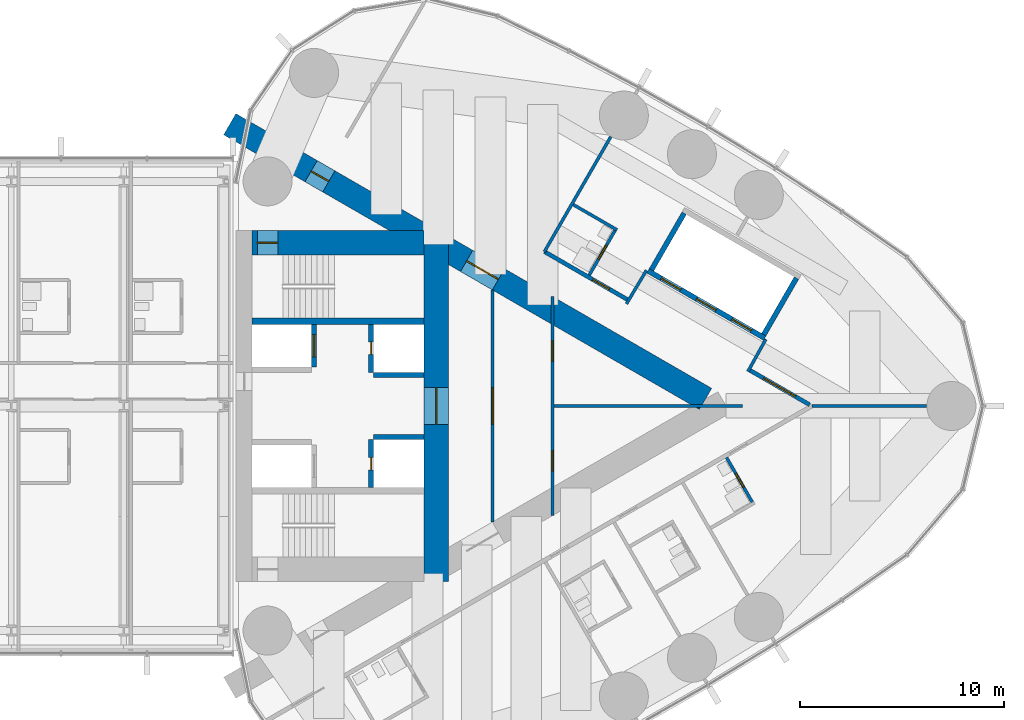
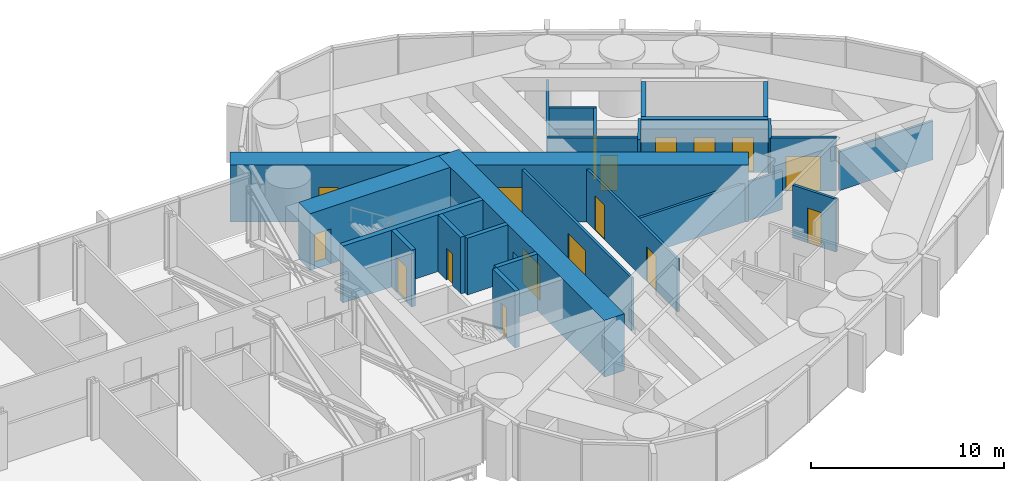
# One storey, part 20 of 24: 24 walls, 17 doors, 17 openings.
"""IFC4 building model written with IfcOpenShell, lengths in metres."""

from ifc_helpers import new_model, si_unit, direction, frame, frame_2d, origin, place, context, subcontext, project, spatial, rectangle, extrude, material, layer, layer_set, type_object, element, fill, save


model = new_model("IFC4")

# Units and contexts
model_context = context("Model", 3, precision=1e-05, world=origin(), true_north=direction((0.0, 1.0)))
body_context = subcontext(model_context, "Body", "Model", "MODEL_VIEW")
ifc_project = project(units=[si_unit("LENGTHUNIT", "METRE"), si_unit("AREAUNIT", "SQUARE_METRE"), si_unit("VOLUMEUNIT", "CUBIC_METRE"), si_unit("PLANEANGLEUNIT", "RADIAN"), si_unit("MASSUNIT", "GRAM", prefix="KILO")], contexts=[model_context])

# Site, building, storey
site_placement = place(None, origin())
site = spatial("IfcSite", under=ifc_project, at=site_placement, CompositionType="ELEMENT")
building_placement = place(site_placement, origin())
building = spatial("IfcBuilding", under=site, at=building_placement, Name="Lancet Gate Hotel", CompositionType="ELEMENT")
storey_placement = place(building_placement, frame((0.0, 0.0, 236.89990234375)))
storey = spatial("IfcBuildingStorey", under=building, at=storey_placement, Name="L63", CompositionType="ELEMENT", Elevation=236.89990234375)

# Wall, opening, door
ifc_material_1 = material(Name="Moisture resistant board partition")
ifc_layer_1 = layer(ifc_material_1, 0.14990234375)
ifc_layer_set_1 = layer_set([ifc_layer_1], Name="Bathroom wall 150")
wall_type_1 = type_object("IfcWallType", Name="Bathroom wall 150", PredefinedType="PARTITIONING", material=ifc_layer_set_1)
wall_1_placement = place(storey_placement, frame((51.528564453125, -2.525146484375, 0.0), z_axis=(0.0, 0.0, 1.0), x_axis=(0.500006934395, -0.866021400173, 0.0)))
wall_1 = element("IfcWall", 1, at=wall_1_placement, inside=storey, type_object=wall_type_1, Name="T2 bathroom wall 150 L63", PredefinedType="PARTITIONING", context=body_context, shape_type="SweptSolid", body=[
    extrude(rectangle(XDim=2.60009765625, YDim=0.14990234375, at=frame_2d((1.300048828125, 0.0))), origin(), (0.0, 0.0, 1.0), 3.35009765625),
])
opening_1_placement = place(wall_1_placement, frame((0.89990234375, 0.0, 0.0)))
opening_1 = element("IfcOpeningElement", 2, at=opening_1_placement, cuts=wall_1, Name="Opening 6355-B", PredefinedType="OPENING", context=body_context, shape_type="SweptSolid", body=[
    extrude(rectangle(XDim=0.800048828125, YDim=2.199951171875, at=frame_2d((0.39990234375, 1.10009765625))), frame((0.0, 0.0849609375, 0.0), z_axis=(0.0, -1.0, 0.0), x_axis=(1.0, 0.0, 0.0)), (0.0, 0.0, 1.0), 0.169921875),
])
ifc_material_2 = material(Name="Timber door set", Category="wood")
door_type_1 = type_object("IfcDoorType", Name="Bathroom door 800", OperationType="SINGLE_SWING_RIGHT", PredefinedType="DOOR", material=ifc_material_2)
door_1_placement = place(opening_1_placement, origin())
door_1 = element("IfcDoor", 3, at=door_1_placement, inside=storey, type_object=door_type_1, Name="6355-B", OperationType="SINGLE_SWING_RIGHT", OverallHeight=2.199951171875, OverallWidth=0.800048828125, PredefinedType="DOOR", context=body_context, shape_type="SweptSolid", body=[
    extrude(rectangle(XDim=0.800048828125, YDim=2.199951171875, at=frame_2d((0.39990234375, 1.10009765625))), frame((0.0, 0.02490234375, 0.0), z_axis=(0.0, -1.0, 0.0), x_axis=(1.0, 0.0, 0.0)), (0.0, 0.0, 1.0), 0.050048828125),
])
fill(opening_1, door_1)

# Wall
wall_2_placement = place(storey_placement, frame((44.024658203125, 9.85986328125, 0.0), z_axis=(0.0, 0.0, 1.0), x_axis=(0.866006523861, -0.500032699561, 0.0)))
element("IfcWall", 4, at=wall_2_placement, inside=storey, type_object=wall_type_1, Name="T2 bathroom wall 150 L63", PredefinedType="PARTITIONING", context=body_context, shape_type="SweptSolid", body=[
    extrude(rectangle(XDim=2.474853515625, YDim=0.14990234375, at=frame_2d((1.2373046875, 0.0))), origin(), (0.0, 0.0, 1.0), 3.35009765625),
])

# Wall, opening, door
wall_3_placement = place(storey_placement, frame((44.802978515625, 6.408203125, 0.0), z_axis=(0.0, 0.0, 1.0), x_axis=(0.500047596559, 0.865997922154, 0.0)))
wall_3 = element("IfcWall", 5, at=wall_3_placement, inside=storey, type_object=wall_type_1, Name="T2 bathroom wall 150 L63", PredefinedType="PARTITIONING", context=body_context, shape_type="SweptSolid", body=[
    extrude(rectangle(XDim=2.599853515625, YDim=0.14990234375, at=frame_2d((1.2998046875, 0.0))), origin(), (0.0, 0.0, 1.0), 3.35009765625),
])
opening_2_placement = place(wall_3_placement, frame((0.89990234375, 0.0, 0.0)))
opening_2 = element("IfcOpeningElement", 6, at=opening_2_placement, cuts=wall_3, Name="Opening 6358-B", PredefinedType="OPENING", context=body_context, shape_type="SweptSolid", body=[
    extrude(rectangle(XDim=0.800048828125, YDim=2.199951171875, at=frame_2d((0.39990234375, 1.10009765625))), frame((0.0, 0.0849609375, 0.0), z_axis=(0.0, -1.0, 0.0), x_axis=(1.0, 0.0, 0.0)), (0.0, 0.0, 1.0), 0.169921875),
])
door_2_placement = place(opening_2_placement, origin())
door_2 = element("IfcDoor", 7, at=door_2_placement, inside=storey, type_object=door_type_1, Name="6358-B", OperationType="SINGLE_SWING_RIGHT", OverallHeight=2.199951171875, OverallWidth=0.800048828125, PredefinedType="DOOR", context=body_context, shape_type="SweptSolid", body=[
    extrude(rectangle(XDim=0.800048828125, YDim=2.199951171875, at=frame_2d((0.39990234375, 1.10009765625))), frame((0.0, 0.02490234375, 0.0), z_axis=(0.0, -1.0, 0.0), x_axis=(1.0, 0.0, 0.0)), (0.0, 0.0, 1.0), 0.050048828125),
])
fill(opening_2, door_2)

# Wall, openings, doors
ifc_material_3 = material(Name="Concrete C70/85", Category="concrete")
ifc_layer_2 = layer(ifc_material_3, 1.199951171875)
ifc_layer_set_2 = layer_set([ifc_layer_2], Name="Buttress wall 1200")
wall_type_2 = type_object("IfcWallType", Name="Buttress wall 1200", PredefinedType="SHEAR", material=ifc_layer_set_2)
wall_4_placement = place(storey_placement, frame((27.199951171875, 13.800048828125, 0.0), z_axis=(0.0, 0.0, 1.0), x_axis=(0.866024515034, -0.500001539357, 0.0)))
wall_4 = element("IfcWall", 8, at=wall_4_placement, inside=storey, type_object=wall_type_2, Name="T2 buttress wall N L63", PredefinedType="SHEAR", context=body_context, shape_type="SweptSolid", body=[
    extrude(rectangle(XDim=26.9072265625, YDim=1.199951171875, at=frame_2d((13.45361328125, 0.0))), origin(), (0.0, 0.0, 1.0), 3.60009765625),
])
opening_3_placement = place(wall_4_placement, frame((4.60009765625, 0.0, 0.0)))
opening_3 = element("IfcOpeningElement", 9, at=opening_3_placement, cuts=wall_4, Name="Opening T2-L63-LN", PredefinedType="OPENING", context=body_context, shape_type="SweptSolid", body=[
    extrude(rectangle(XDim=1.0, YDim=2.199951171875, at=frame_2d((0.5, 1.10009765625))), frame((0.0, 0.60986328125, 0.0), z_axis=(0.0, -1.0, 0.0), x_axis=(1.0, 0.0, 0.0)), (0.0, 0.0, 1.0), 1.219970703125),
])
opening_4_placement = place(wall_4_placement, frame((13.39453125, 0.0, 0.0)))
opening_4 = element("IfcOpeningElement", 10, at=opening_4_placement, cuts=wall_4, Name="Opening T2-L63-LHN", PredefinedType="OPENING", context=body_context, shape_type="SweptSolid", body=[
    extrude(rectangle(XDim=1.800048828125, YDim=2.199951171875, at=frame_2d((0.89990234375, 1.10009765625))), frame((0.0, 0.60986328125, 0.0), z_axis=(0.0, -1.0, 0.0), x_axis=(1.0, 0.0, 0.0)), (0.0, 0.0, 1.0), 1.219970703125),
])
ifc_material_4 = material(Name="Timber door set", Category="wood")
door_type_2 = type_object("IfcDoorType", Name="Lobby double door 1800", OperationType="DOUBLE_DOOR_SINGLE_SWING", PredefinedType="DOOR", material=ifc_material_4)
door_3_placement = place(opening_4_placement, origin())
door_3 = element("IfcDoor", 11, at=door_3_placement, inside=storey, type_object=door_type_2, Name="T2-L63-LHN", OperationType="DOUBLE_DOOR_SINGLE_SWING", OverallHeight=2.199951171875, OverallWidth=1.800048828125, PredefinedType="DOOR", context=body_context, shape_type="SweptSolid", body=[
    extrude(rectangle(XDim=1.800048828125, YDim=2.199951171875, at=frame_2d((0.89990234375, 1.10009765625))), frame((0.0, 0.02490234375, 0.0), z_axis=(0.0, -1.0, 0.0), x_axis=(1.0, 0.0, 0.0)), (0.0, 0.0, 1.0), 0.050048828125),
])
fill(opening_4, door_3)
ifc_material_5 = material(Name="Timber door set", Category="wood")
door_type_3 = type_object("IfcDoorType", Name="Stair lobby door 1000", OperationType="SINGLE_SWING_LEFT", PredefinedType="DOOR", material=ifc_material_5)
door_4_placement = place(opening_3_placement, origin())
door_4 = element("IfcDoor", 12, at=door_4_placement, inside=storey, type_object=door_type_3, Name="T2-L63-LN", OperationType="SINGLE_SWING_LEFT", OverallHeight=2.199951171875, OverallWidth=1.0, PredefinedType="DOOR", context=body_context, shape_type="SweptSolid", body=[
    extrude(rectangle(XDim=1.0, YDim=2.199951171875, at=frame_2d((0.5, 1.10009765625))), frame((0.0, 0.02490234375, 0.0), z_axis=(0.0, -1.0, 0.0), x_axis=(1.0, 0.0, 0.0)), (0.0, 0.0, 1.0), 0.050048828125),
])
fill(opening_3, door_4)

# Wall, opening, door
ifc_material_6 = material(Name="Concrete C70/85", Category="concrete")
ifc_layer_3 = layer(ifc_material_6, 1.199951171875)
ifc_layer_set_3 = layer_set([ifc_layer_3], Name="Core wall 1200")
wall_type_3 = type_object("IfcWallType", Name="Core wall 1200", PredefinedType="SHEAR", material=ifc_layer_set_3)
wall_5_placement = place(storey_placement, frame((37.300048828125, -8.60009765625, 0.0), z_axis=(0.0, 0.0, 1.0), x_axis=(0.0, 1.0, 0.0)))
wall_5 = element("IfcWall", 13, at=wall_5_placement, inside=storey, type_object=wall_type_3, Name="T2 core wall back L63", PredefinedType="SHEAR", context=body_context, shape_type="SweptSolid", body=[
    extrude(rectangle(XDim=17.2001953125, YDim=1.199951171875, at=frame_2d((8.60009765625, 0.0))), origin(), (0.0, 0.0, 1.0), 3.60009765625),
])
opening_5_placement = place(wall_5_placement, frame((7.699951171875, 0.0, 0.0)))
opening_5 = element("IfcOpeningElement", 14, at=opening_5_placement, cuts=wall_5, Name="Opening T2-L63-LL", PredefinedType="OPENING", context=body_context, shape_type="SweptSolid", body=[
    extrude(rectangle(XDim=1.800048828125, YDim=2.199951171875, at=frame_2d((0.89990234375, 1.10009765625))), frame((0.0, 0.60986328125, 0.0), z_axis=(0.0, -1.0, 0.0), x_axis=(1.0, 0.0, 0.0)), (0.0, 0.0, 1.0), 1.219970703125),
])
door_5_placement = place(opening_5_placement, origin())
door_5 = element("IfcDoor", 15, at=door_5_placement, inside=storey, type_object=door_type_2, Name="T2-L63-LL", OperationType="DOUBLE_DOOR_SINGLE_SWING", OverallHeight=2.199951171875, OverallWidth=1.800048828125, PredefinedType="DOOR", context=body_context, shape_type="SweptSolid", body=[
    extrude(rectangle(XDim=1.800048828125, YDim=2.199951171875, at=frame_2d((0.89990234375, 1.10009765625))), frame((0.0, 0.02490234375, 0.0), z_axis=(0.0, -1.0, 0.0), x_axis=(1.0, 0.0, 0.0)), (0.0, 0.0, 1.0), 0.050048828125),
])
fill(opening_5, door_5)

wall_6_placement = place(storey_placement, frame((28.300048828125, 8.0, 0.0), z_axis=(0.0, 0.0, 1.0), x_axis=(1.0, 0.0, 0.0)))
wall_6 = element("IfcWall", 16, at=wall_6_placement, inside=storey, type_object=wall_type_3, Name="T2 core wall side-N L63", PredefinedType="SHEAR", context=body_context, shape_type="SweptSolid", body=[
    extrude(rectangle(XDim=8.39990234375, YDim=1.199951171875, at=frame_2d((4.199951171875, 0.0))), origin(), (0.0, 0.0, 1.0), 3.60009765625),
])
opening_6_placement = place(wall_6_placement, frame((0.25, 0.0, 0.0)))
opening_6 = element("IfcOpeningElement", 17, at=opening_6_placement, cuts=wall_6, Name="Opening T2-L63-ST2", PredefinedType="OPENING", context=body_context, shape_type="SweptSolid", body=[
    extrude(rectangle(XDim=1.0, YDim=2.199951171875, at=frame_2d((0.5, 1.10009765625))), frame((0.0, 0.60986328125, 0.0), z_axis=(0.0, -1.0, 0.0), x_axis=(1.0, 0.0, 0.0)), (0.0, 0.0, 1.0), 1.219970703125),
])
ifc_material_7 = material(Name="Timber door set", Category="wood")
door_type_4 = type_object("IfcDoorType", Name="Stair door 1000", OperationType="SINGLE_SWING_RIGHT", PredefinedType="DOOR", material=ifc_material_7)
door_6_placement = place(opening_6_placement, origin())
door_6 = element("IfcDoor", 18, at=door_6_placement, inside=storey, type_object=door_type_4, Name="T2-L63-ST2", OperationType="SINGLE_SWING_RIGHT", OverallHeight=2.199951171875, OverallWidth=1.0, PredefinedType="DOOR", context=body_context, shape_type="SweptSolid", body=[
    extrude(rectangle(XDim=1.0, YDim=2.199951171875, at=frame_2d((0.5, 1.10009765625))), frame((0.0, 0.02490234375, 0.0), z_axis=(0.0, -1.0, 0.0), x_axis=(1.0, 0.0, 0.0)), (0.0, 0.0, 1.0), 0.050048828125),
])
fill(opening_6, door_6)

ifc_material_8 = material(Name="Gypsum board partition")
ifc_layer_4 = layer(ifc_material_8, 0.199951171875)
ifc_layer_set_4 = layer_set([ifc_layer_4], Name="Corridor wall 200")
wall_type_4 = type_object("IfcWallType", Name="Corridor wall 200", PredefinedType="PARTITIONING", material=ifc_layer_set_4)
wall_7_placement = place(storey_placement, frame((52.63916015625, 1.7685546875, 0.0), z_axis=(0.0, 0.0, 1.0), x_axis=(0.866027340901, -0.4999966448, 0.0)))
wall_7 = element("IfcWall", 19, at=wall_7_placement, inside=storey, type_object=wall_type_4, Name="T2 corridor wall 200 L63", PredefinedType="PARTITIONING", context=body_context, shape_type="SweptSolid", body=[
    extrude(rectangle(XDim=3.4169921875, YDim=0.199951171875, at=frame_2d((1.70849609375, 0.0))), origin(), (0.0, 0.0, 1.0), 3.35009765625),
])
opening_7_placement = place(wall_7_placement, frame((0.80859375, 0.0, 0.0)))
opening_7 = element("IfcOpeningElement", 20, at=opening_7_placement, cuts=wall_7, Name="Opening T2-L63-LO1", PredefinedType="OPENING", context=body_context, shape_type="SweptSolid", body=[
    extrude(rectangle(XDim=1.800048828125, YDim=2.199951171875, at=frame_2d((0.89990234375, 1.10009765625))), frame((0.0, 0.10986328125, 0.0), z_axis=(0.0, -1.0, 0.0), x_axis=(1.0, 0.0, 0.0)), (0.0, 0.0, 1.0), 0.219970703125),
])
ifc_material_9 = material(Name="Timber door set", Category="wood")
door_type_5 = type_object("IfcDoorType", Name="Double door 1800", OperationType="DOUBLE_DOOR_SINGLE_SWING", PredefinedType="DOOR", material=ifc_material_9)
door_7_placement = place(opening_7_placement, origin())
door_7 = element("IfcDoor", 21, at=door_7_placement, inside=storey, type_object=door_type_5, Name="T2-L63-LO1", OperationType="DOUBLE_DOOR_SINGLE_SWING", OverallHeight=2.199951171875, OverallWidth=1.800048828125, PredefinedType="DOOR", context=body_context, shape_type="SweptSolid", body=[
    extrude(rectangle(XDim=1.800048828125, YDim=2.199951171875, at=frame_2d((0.89990234375, 1.10009765625))), frame((0.0, 0.02490234375, 0.0), z_axis=(0.0, -1.0, 0.0), x_axis=(1.0, 0.0, 0.0)), (0.0, 0.0, 1.0), 0.050048828125),
])
fill(opening_7, door_7)

wall_8_placement = place(storey_placement, frame((42.609619140625, 7.55908203125, 0.0), z_axis=(0.0, 0.0, 1.0), x_axis=(0.866032081755, -0.499988433238, 0.0)))
wall_8 = element("IfcWall", 22, at=wall_8_placement, inside=storey, type_object=wall_type_4, Name="T2 corridor wall 200 L63", PredefinedType="PARTITIONING", context=body_context, shape_type="SweptSolid", body=[
    extrude(rectangle(XDim=4.74072265625, YDim=0.199951171875, at=frame_2d((2.370361328125, 0.0))), origin(), (0.0, 0.0, 1.0), 3.35009765625),
])
opening_8_placement = place(wall_8_placement, frame((2.72509765625, 0.0, 0.0)))
opening_8 = element("IfcOpeningElement", 23, at=opening_8_placement, cuts=wall_8, Name="Opening 6358-E", PredefinedType="OPENING", context=body_context, shape_type="SweptSolid", body=[
    extrude(rectangle(XDim=0.949951171875, YDim=2.199951171875, at=frame_2d((0.47509765625, 1.10009765625))), frame((0.0, 0.10986328125, 0.0), z_axis=(0.0, -1.0, 0.0), x_axis=(1.0, 0.0, 0.0)), (0.0, 0.0, 1.0), 0.219970703125),
])
ifc_material_10 = material(Name="Timber door set", Category="wood")
door_type_6 = type_object("IfcDoorType", Name="Guest room entry door 950", OperationType="SINGLE_SWING_LEFT", PredefinedType="DOOR", material=ifc_material_10)
door_8_placement = place(opening_8_placement, origin())
door_8 = element("IfcDoor", 24, at=door_8_placement, inside=storey, type_object=door_type_6, Name="6358-E", OperationType="SINGLE_SWING_LEFT", OverallHeight=2.199951171875, OverallWidth=0.949951171875, PredefinedType="DOOR", context=body_context, shape_type="SweptSolid", body=[
    extrude(rectangle(XDim=0.949951171875, YDim=2.199951171875, at=frame_2d((0.47509765625, 1.10009765625))), frame((0.0, 0.02490234375, 0.0), z_axis=(0.0, -1.0, 0.0), x_axis=(1.0, 0.0, 0.0)), (0.0, 0.0, 1.0), 0.050048828125),
])
fill(opening_8, door_8)

# Wall, openings, doors
ifc_material_11 = material(Name="Gypsum board partition")
ifc_layer_5 = layer(ifc_material_11, 0.25)
ifc_layer_set_5 = layer_set([ifc_layer_5], Name="Lift shaft partition 250")
wall_type_5 = type_object("IfcWallType", Name="Lift shaft partition 250", PredefinedType="PARTITIONING", material=ifc_layer_set_5)
wall_9_placement = place(storey_placement, frame((47.681396484375, 6.622314453125, 0.0), z_axis=(0.0, 0.0, 1.0), x_axis=(0.86603344179, -0.499986077507, 0.0)))
wall_9 = element("IfcWall", 25, at=wall_9_placement, inside=storey, type_object=wall_type_5, Name="T2 lift shaft wall HL L63", PredefinedType="PARTITIONING", context=body_context, shape_type="SweptSolid", body=[
    extrude(rectangle(XDim=6.600341796875, YDim=0.25, at=frame_2d((3.30029296875, 0.0))), origin(), (0.0, 0.0, 1.0), 3.35009765625),
])
opening_9_placement = place(wall_9_placement, frame((0.75, 0.0, 0.0)))
opening_9 = element("IfcOpeningElement", 26, at=opening_9_placement, cuts=wall_9, Name="Opening T2-HL1-L63", PredefinedType="OPENING", context=body_context, shape_type="SweptSolid", body=[
    extrude(rectangle(XDim=1.10009765625, YDim=2.199951171875, at=frame_2d((0.550048828125, 1.10009765625))), frame((0.0, 0.135009765625, 0.0), z_axis=(0.0, -1.0, 0.0), x_axis=(1.0, 0.0, 0.0)), (0.0, 0.0, 1.0), 0.27001953125),
])
opening_10_placement = place(wall_9_placement, frame((2.75, 0.0, 0.0)))
opening_10 = element("IfcOpeningElement", 27, at=opening_10_placement, cuts=wall_9, Name="Opening T2-HL2-L63", PredefinedType="OPENING", context=body_context, shape_type="SweptSolid", body=[
    extrude(rectangle(XDim=1.10009765625, YDim=2.199951171875, at=frame_2d((0.550048828125, 1.10009765625))), frame((0.0, 0.135009765625, 0.0), z_axis=(0.0, -1.0, 0.0), x_axis=(1.0, 0.0, 0.0)), (0.0, 0.0, 1.0), 0.27001953125),
])
opening_11_placement = place(wall_9_placement, frame((4.75, 0.0, 0.0)))
opening_11 = element("IfcOpeningElement", 28, at=opening_11_placement, cuts=wall_9, Name="Opening T2-HL3-L63", PredefinedType="OPENING", context=body_context, shape_type="SweptSolid", body=[
    extrude(rectangle(XDim=1.10009765625, YDim=2.199951171875, at=frame_2d((0.550048828125, 1.10009765625))), frame((0.0, 0.135009765625, 0.0), z_axis=(0.0, -1.0, 0.0), x_axis=(1.0, 0.0, 0.0)), (0.0, 0.0, 1.0), 0.27001953125),
])
ifc_material_12 = material(Name="Steel door set", Category="steel")
door_type_7 = type_object("IfcDoorType", Name="Lift landing door 1100", OperationType="DOUBLE_DOOR_SLIDING", PredefinedType="USERDEFINED", material=ifc_material_12)
door_9_placement = place(opening_9_placement, origin())
door_9 = element("IfcDoor", 29, at=door_9_placement, inside=storey, type_object=door_type_7, Name="T2-HL1-L63", ObjectType="LIFT LANDING DOOR", OperationType="DOUBLE_DOOR_SLIDING", OverallHeight=2.199951171875, OverallWidth=1.10009765625, PredefinedType="USERDEFINED", context=body_context, shape_type="SweptSolid", body=[
    extrude(rectangle(XDim=1.10009765625, YDim=2.199951171875, at=frame_2d((0.550048828125, 1.10009765625))), frame((0.0, 0.02490234375, 0.0), z_axis=(0.0, -1.0, 0.0), x_axis=(1.0, 0.0, 0.0)), (0.0, 0.0, 1.0), 0.050048828125),
])
fill(opening_9, door_9)
door_10_placement = place(opening_10_placement, origin())
door_10 = element("IfcDoor", 30, at=door_10_placement, inside=storey, type_object=door_type_7, Name="T2-HL2-L63", ObjectType="LIFT LANDING DOOR", OperationType="DOUBLE_DOOR_SLIDING", OverallHeight=2.199951171875, OverallWidth=1.10009765625, PredefinedType="USERDEFINED", context=body_context, shape_type="SweptSolid", body=[
    extrude(rectangle(XDim=1.10009765625, YDim=2.199951171875, at=frame_2d((0.550048828125, 1.10009765625))), frame((0.0, 0.02490234375, 0.0), z_axis=(0.0, -1.0, 0.0), x_axis=(1.0, 0.0, 0.0)), (0.0, 0.0, 1.0), 0.050048828125),
])
fill(opening_10, door_10)
door_11_placement = place(opening_11_placement, origin())
door_11 = element("IfcDoor", 31, at=door_11_placement, inside=storey, type_object=door_type_7, Name="T2-HL3-L63", ObjectType="LIFT LANDING DOOR", OperationType="DOUBLE_DOOR_SLIDING", OverallHeight=2.199951171875, OverallWidth=1.10009765625, PredefinedType="USERDEFINED", context=body_context, shape_type="SweptSolid", body=[
    extrude(rectangle(XDim=1.10009765625, YDim=2.199951171875, at=frame_2d((0.550048828125, 1.10009765625))), frame((0.0, 0.02490234375, 0.0), z_axis=(0.0, -1.0, 0.0), x_axis=(1.0, 0.0, 0.0)), (0.0, 0.0, 1.0), 0.050048828125),
])
fill(opening_11, door_11)

# Walls
wall_10_placement = place(storey_placement, frame((47.852294921875, 6.66796875, 0.0), z_axis=(0.0, 0.0, 1.0), x_axis=(0.499929347863, 0.866066190972, 0.0)))
element("IfcWall", 32, at=wall_10_placement, inside=storey, type_object=wall_type_5, Name="T2 lift shaft wall HL L63", PredefinedType="PARTITIONING", context=body_context, shape_type="SweptSolid", body=[
    extrude(rectangle(XDim=3.20068359375, YDim=0.25, at=frame_2d((1.600341796875, 0.0))), origin(), (0.0, 0.0, 1.0), 3.35009765625),
])
wall_11_placement = place(storey_placement, frame((53.351806640625, 3.492919921875, 0.0), z_axis=(0.0, 0.0, 1.0), x_axis=(0.499872130319, 0.866099216793, 0.0)))
element("IfcWall", 33, at=wall_11_placement, inside=storey, type_object=wall_type_5, Name="T2 lift shaft wall HL L63", PredefinedType="PARTITIONING", context=body_context, shape_type="SweptSolid", body=[
    extrude(rectangle(XDim=3.200439453125, YDim=0.25, at=frame_2d((1.60009765625, 0.0))), origin(), (0.0, 0.0, 1.0), 3.35009765625),
])

# Wall, opening, door
ifc_material_13 = material(Name="Concrete C50/60", Category="concrete")
ifc_layer_6 = layer(ifc_material_13, 0.25)
ifc_layer_set_6 = layer_set([ifc_layer_6], Name="Lift shaft wall 250")
wall_type_6 = type_object("IfcWallType", Name="Lift shaft wall 250", PredefinedType="SHEAR", material=ifc_layer_set_6)
wall_12_placement = place(storey_placement, frame((34.125, -4.0, 0.0), z_axis=(0.0, 0.0, 1.0), x_axis=(0.0, 1.0, 0.0)))
wall_12 = element("IfcWall", 34, at=wall_12_placement, inside=storey, type_object=wall_type_6, Name="T2 core wall row2-S L63", PredefinedType="SHEAR", context=body_context, shape_type="SweptSolid", body=[
    extrude(rectangle(XDim=2.35009765625, YDim=0.25, at=frame_2d((1.175048828125, 0.0))), origin(), (0.0, 0.0, 1.0), 3.60009765625),
])
opening_12_placement = place(wall_12_placement, frame((0.875, 0.0, 0.0)))
opening_12 = element("IfcOpeningElement", 35, at=opening_12_placement, cuts=wall_12, Name="Opening T2-OL3-L63-E", PredefinedType="OPENING", context=body_context, shape_type="SweptSolid", body=[
    extrude(rectangle(XDim=0.60009765625, YDim=2.0, at=frame_2d((0.300048828125, 1.0))), frame((0.0, 0.135009765625, 0.0), z_axis=(0.0, -1.0, 0.0), x_axis=(1.0, 0.0, 0.0)), (0.0, 0.0, 1.0), 0.27001953125),
])
ifc_material_14 = material(Name="Steel door set", Category="steel")
door_type_8 = type_object("IfcDoorType", Name="Lift shaft emergency door 600x2000", OperationType="SLIDING_TO_LEFT", PredefinedType="DOOR", material=ifc_material_14)
door_12_placement = place(opening_12_placement, origin())
door_12 = element("IfcDoor", 36, at=door_12_placement, inside=storey, type_object=door_type_8, Name="T2-OL3-L63-E", OperationType="SLIDING_TO_LEFT", OverallHeight=2.0, OverallWidth=0.60009765625, PredefinedType="DOOR", context=body_context, shape_type="SweptSolid", body=[
    extrude(rectangle(XDim=0.60009765625, YDim=2.0, at=frame_2d((0.300048828125, 1.0))), frame((0.0, 0.02490234375, 0.0), z_axis=(0.0, -1.0, 0.0), x_axis=(1.0, 0.0, 0.0)), (0.0, 0.0, 1.0), 0.050048828125),
])
fill(opening_12, door_12)

# Wall
wall_13_placement = place(storey_placement, frame((34.25, -1.52490234375, 0.0), z_axis=(0.0, 0.0, 1.0), x_axis=(1.0, 0.0, 0.0)))
element("IfcWall", 37, at=wall_13_placement, inside=storey, type_object=wall_type_6, Name="T2 core wall pass2-S L63", PredefinedType="SHEAR", context=body_context, shape_type="SweptSolid", body=[
    extrude(rectangle(XDim=2.449951171875, YDim=0.25, at=frame_2d((1.22509765625, 0.0))), origin(), (0.0, 0.0, 1.0), 3.60009765625),
])

# Wall, opening, door
wall_14_placement = place(storey_placement, frame((31.324951171875, 1.89990234375, 0.0), z_axis=(0.0, 0.0, 1.0), x_axis=(0.0, 1.0, 0.0)))
wall_14 = element("IfcWall", 38, at=wall_14_placement, inside=storey, type_object=wall_type_6, Name="T2 core wall row1-N L63", PredefinedType="SHEAR", context=body_context, shape_type="SweptSolid", body=[
    extrude(rectangle(XDim=2.10009765625, YDim=0.25, at=frame_2d((1.050048828125, 0.0))), origin(), (0.0, 0.0, 1.0), 3.60009765625),
])
opening_13_placement = place(wall_14_placement, frame((0.5, 0.0, 0.0)))
opening_13 = element("IfcOpeningElement", 39, at=opening_13_placement, cuts=wall_14, Name="Opening T2-FL2-L63", PredefinedType="OPENING", context=body_context, shape_type="SweptSolid", body=[
    extrude(rectangle(XDim=1.10009765625, YDim=2.199951171875, at=frame_2d((0.550048828125, 1.10009765625))), frame((0.0, 0.135009765625, 0.0), z_axis=(0.0, -1.0, 0.0), x_axis=(1.0, 0.0, 0.0)), (0.0, 0.0, 1.0), 0.27001953125),
])
ifc_material_15 = material(Name="Steel door set", Category="steel")
door_type_9 = type_object("IfcDoorType", Name="Firefighting lift landing door 1100", OperationType="SLIDING_TO_LEFT", PredefinedType="USERDEFINED", material=ifc_material_15)
door_13_placement = place(opening_13_placement, origin())
door_13 = element("IfcDoor", 40, at=door_13_placement, inside=storey, type_object=door_type_9, Name="T2-FL2-L63", ObjectType="LIFT LANDING DOOR", OperationType="SLIDING_TO_LEFT", OverallHeight=2.199951171875, OverallWidth=1.10009765625, PredefinedType="USERDEFINED", context=body_context, shape_type="SweptSolid", body=[
    extrude(rectangle(XDim=1.10009765625, YDim=2.199951171875, at=frame_2d((0.550048828125, 1.10009765625))), frame((0.0, 0.02490234375, 0.0), z_axis=(0.0, -1.0, 0.0), x_axis=(1.0, 0.0, 0.0)), (0.0, 0.0, 1.0), 0.050048828125),
])
fill(opening_13, door_13)

wall_15_placement = place(storey_placement, frame((34.125, 1.64990234375, 0.0), z_axis=(0.0, 0.0, 1.0), x_axis=(0.0, 1.0, 0.0)))
wall_15 = element("IfcWall", 41, at=wall_15_placement, inside=storey, type_object=wall_type_6, Name="T2 core wall row2-N L63", PredefinedType="SHEAR", context=body_context, shape_type="SweptSolid", body=[
    extrude(rectangle(XDim=2.35009765625, YDim=0.25, at=frame_2d((1.175048828125, 0.0))), origin(), (0.0, 0.0, 1.0), 3.60009765625),
])
opening_14_placement = place(wall_15_placement, frame((0.875, 0.0, 0.0)))
opening_14 = element("IfcOpeningElement", 42, at=opening_14_placement, cuts=wall_15, Name="Opening T2-OL4-L63-E", PredefinedType="OPENING", context=body_context, shape_type="SweptSolid", body=[
    extrude(rectangle(XDim=0.60009765625, YDim=2.0, at=frame_2d((0.300048828125, 1.0))), frame((0.0, 0.135009765625, 0.0), z_axis=(0.0, -1.0, 0.0), x_axis=(1.0, 0.0, 0.0)), (0.0, 0.0, 1.0), 0.27001953125),
])
door_14_placement = place(opening_14_placement, origin())
door_14 = element("IfcDoor", 43, at=door_14_placement, inside=storey, type_object=door_type_8, Name="T2-OL4-L63-E", OperationType="SLIDING_TO_LEFT", OverallHeight=2.0, OverallWidth=0.60009765625, PredefinedType="DOOR", context=body_context, shape_type="SweptSolid", body=[
    extrude(rectangle(XDim=0.60009765625, YDim=2.0, at=frame_2d((0.300048828125, 1.0))), frame((0.0, 0.02490234375, 0.0), z_axis=(0.0, -1.0, 0.0), x_axis=(1.0, 0.0, 0.0)), (0.0, 0.0, 1.0), 0.050048828125),
])
fill(opening_14, door_14)

# Walls
wall_16_placement = place(storey_placement, frame((34.25, 1.52490234375, 0.0), z_axis=(0.0, 0.0, 1.0), x_axis=(1.0, 0.0, 0.0)))
element("IfcWall", 44, at=wall_16_placement, inside=storey, type_object=wall_type_6, Name="T2 core wall pass2-N L63", PredefinedType="SHEAR", context=body_context, shape_type="SweptSolid", body=[
    extrude(rectangle(XDim=2.449951171875, YDim=0.25, at=frame_2d((1.22509765625, 0.0))), origin(), (0.0, 0.0, 1.0), 3.60009765625),
])
ifc_material_16 = material(Name="Gypsum board partition")
ifc_layer_7 = layer(ifc_material_16, 0.14990234375)
ifc_layer_set_7 = layer_set([ifc_layer_7], Name="Party wall 150")
wall_type_7 = type_object("IfcWallType", Name="Party wall 150", PredefinedType="PARTITIONING", material=ifc_layer_set_7)
wall_17_placement = place(storey_placement, frame((42.609619140625, 7.55908203125, 0.0), z_axis=(0.0, 0.0, 1.0), x_axis=(0.500014058812, 0.866017286774, 0.0)))
element("IfcWall", 45, at=wall_17_placement, inside=storey, type_object=wall_type_7, Name="T2 party wall 150 L63", PredefinedType="PARTITIONING", context=body_context, shape_type="SweptSolid", body=[
    extrude(rectangle(XDim=6.498291015625, YDim=0.14990234375, at=frame_2d((3.2490234375, 0.0))), origin(), (0.0, 0.0, 1.0), 2.4501953125),
])
wall_18_placement = place(storey_placement, frame((55.7021484375, 0.0, 0.0), z_axis=(0.0, 0.0, 1.0), x_axis=(1.0, 0.0, 0.0)))
element("IfcWall", 46, at=wall_18_placement, inside=storey, type_object=wall_type_7, Name="T2 party wall 150 L63", PredefinedType="PARTITIONING", context=body_context, shape_type="SweptSolid", body=[
    extrude(rectangle(XDim=5.619384765625, YDim=0.14990234375, at=frame_2d((2.8095703125, 0.0))), origin(), (0.0, 0.0, 1.0), 2.4501953125),
])
ifc_material_17 = material(Name="Gypsum board partition")
ifc_layer_8 = layer(ifc_material_17, 0.14990234375)
ifc_layer_set_8 = layer_set([ifc_layer_8], Name="Service room wall 150")
wall_type_8 = type_object("IfcWallType", Name="Service room wall 150", PredefinedType="PARTITIONING", material=ifc_layer_set_8)
wall_19_placement = place(storey_placement, frame((47.6064453125, 6.642333984375, 0.0), z_axis=(0.0, 0.0, 1.0), x_axis=(-0.51353662755, -0.858067673418, 0.0)))
element("IfcWall", 47, at=wall_19_placement, inside=storey, type_object=wall_type_8, Name="T2 service room wall 150 L63", PredefinedType="PARTITIONING", context=body_context, shape_type="SweptSolid", body=[
    extrude(rectangle(XDim=1.90966796875, YDim=0.14990234375, at=frame_2d((0.954833984375, 0.0))), origin(), (0.0, 0.0, 1.0), 3.35009765625),
])
wall_20_placement = place(storey_placement, frame((52.576171875, 1.689453125, 0.0), z_axis=(0.0, 0.0, 1.0), x_axis=(0.485424724123, 0.874278466629, 0.0)))
element("IfcWall", 48, at=wall_20_placement, inside=storey, type_object=wall_type_8, Name="T2 service room wall 150 L63", PredefinedType="PARTITIONING", context=body_context, shape_type="SweptSolid", body=[
    extrude(rectangle(XDim=1.80517578125, YDim=0.14990234375, at=frame_2d((0.902587890625, 0.0))), origin(), (0.0, 0.0, 1.0), 3.35009765625),
])

# Wall, opening, door
wall_21_placement = place(storey_placement, frame((40.074951171875, -5.673828125, 0.0), z_axis=(0.0, 0.0, 1.0), x_axis=(0.0, 1.0, 0.0)))
wall_21 = element("IfcWall", 49, at=wall_21_placement, inside=storey, type_object=wall_type_8, Name="T2 service room wall 150 L63", PredefinedType="PARTITIONING", context=body_context, shape_type="SweptSolid", body=[
    extrude(rectangle(XDim=11.34765625, YDim=0.14990234375, at=frame_2d((5.673828125, 0.0))), origin(), (0.0, 0.0, 1.0), 3.35009765625),
])
opening_15_placement = place(wall_21_placement, frame((4.773681640625, 0.0, 0.0)))
opening_15 = element("IfcOpeningElement", 50, at=opening_15_placement, cuts=wall_21, Name="Opening T2-L63-LH", PredefinedType="OPENING", context=body_context, shape_type="SweptSolid", body=[
    extrude(rectangle(XDim=1.800048828125, YDim=2.199951171875, at=frame_2d((0.89990234375, 1.10009765625))), frame((0.0, 0.0849609375, 0.0), z_axis=(0.0, -1.0, 0.0), x_axis=(1.0, 0.0, 0.0)), (0.0, 0.0, 1.0), 0.169921875),
])
door_15_placement = place(opening_15_placement, origin())
door_15 = element("IfcDoor", 51, at=door_15_placement, inside=storey, type_object=door_type_2, Name="T2-L63-LH", OperationType="DOUBLE_DOOR_SINGLE_SWING", OverallHeight=2.199951171875, OverallWidth=1.800048828125, PredefinedType="DOOR", context=body_context, shape_type="SweptSolid", body=[
    extrude(rectangle(XDim=1.800048828125, YDim=2.199951171875, at=frame_2d((0.89990234375, 1.10009765625))), frame((0.0, 0.02490234375, 0.0), z_axis=(0.0, -1.0, 0.0), x_axis=(1.0, 0.0, 0.0)), (0.0, 0.0, 1.0), 0.050048828125),
])
fill(opening_15, door_15)

# Wall, openings, doors
wall_22_placement = place(storey_placement, frame((43.0, -5.37060546875, 0.0), z_axis=(0.0, 0.0, 1.0), x_axis=(0.0, 1.0, 0.0)))
wall_22 = element("IfcWall", 52, at=wall_22_placement, inside=storey, type_object=wall_type_8, Name="T2 service room wall 150 L63", PredefinedType="PARTITIONING", context=body_context, shape_type="SweptSolid", body=[
    extrude(rectangle(XDim=10.7412109375, YDim=0.14990234375, at=frame_2d((5.37060546875, 0.0))), origin(), (0.0, 0.0, 1.0), 3.35009765625),
])
opening_16_placement = place(wall_22_placement, frame((2.185302734375, 0.0, 0.0)))
opening_16 = element("IfcOpeningElement", 53, at=opening_16_placement, cuts=wall_22, Name="Opening T2-L63-SV", PredefinedType="OPENING", context=body_context, shape_type="SweptSolid", body=[
    extrude(rectangle(XDim=1.0, YDim=2.199951171875, at=frame_2d((0.5, 1.10009765625))), frame((0.0, 0.0849609375, 0.0), z_axis=(0.0, -1.0, 0.0), x_axis=(1.0, 0.0, 0.0)), (0.0, 0.0, 1.0), 0.169921875),
])
opening_17_placement = place(wall_22_placement, frame((7.555908203125, 0.0, 0.0)))
opening_17 = element("IfcOpeningElement", 54, at=opening_17_placement, cuts=wall_22, Name="Opening T2-L63-SV2", PredefinedType="OPENING", context=body_context, shape_type="SweptSolid", body=[
    extrude(rectangle(XDim=1.0, YDim=2.199951171875, at=frame_2d((0.5, 1.10009765625))), frame((0.0, 0.0849609375, 0.0), z_axis=(0.0, -1.0, 0.0), x_axis=(1.0, 0.0, 0.0)), (0.0, 0.0, 1.0), 0.169921875),
])
ifc_material_18 = material(Name="Timber door set", Category="wood")
door_type_10 = type_object("IfcDoorType", Name="Service door 1000", OperationType="SINGLE_SWING_LEFT", PredefinedType="DOOR", material=ifc_material_18)
door_16_placement = place(opening_16_placement, origin())
door_16 = element("IfcDoor", 55, at=door_16_placement, inside=storey, type_object=door_type_10, Name="T2-L63-SV", OperationType="SINGLE_SWING_LEFT", OverallHeight=2.199951171875, OverallWidth=1.0, PredefinedType="DOOR", context=body_context, shape_type="SweptSolid", body=[
    extrude(rectangle(XDim=1.0, YDim=2.199951171875, at=frame_2d((0.5, 1.10009765625))), frame((0.0, 0.02490234375, 0.0), z_axis=(0.0, -1.0, 0.0), x_axis=(1.0, 0.0, 0.0)), (0.0, 0.0, 1.0), 0.050048828125),
])
fill(opening_16, door_16)
door_17_placement = place(opening_17_placement, origin())
door_17 = element("IfcDoor", 56, at=door_17_placement, inside=storey, type_object=door_type_10, Name="T2-L63-SV2", OperationType="SINGLE_SWING_LEFT", OverallHeight=2.199951171875, OverallWidth=1.0, PredefinedType="DOOR", context=body_context, shape_type="SweptSolid", body=[
    extrude(rectangle(XDim=1.0, YDim=2.199951171875, at=frame_2d((0.5, 1.10009765625))), frame((0.0, 0.02490234375, 0.0), z_axis=(0.0, -1.0, 0.0), x_axis=(1.0, 0.0, 0.0)), (0.0, 0.0, 1.0), 0.050048828125),
])
fill(opening_17, door_17)

# Walls
wall_23_placement = place(storey_placement, frame((43.074951171875, 0.0, 0.0), z_axis=(0.0, 0.0, 1.0), x_axis=(1.0, 0.0, 0.0)))
element("IfcWall", 57, at=wall_23_placement, inside=storey, type_object=wall_type_8, Name="T2 service room wall 150 L63", PredefinedType="PARTITIONING", context=body_context, shape_type="SweptSolid", body=[
    extrude(rectangle(XDim=9.227294921875, YDim=0.14990234375, at=frame_2d((4.61376953125, 0.0))), origin(), (0.0, 0.0, 1.0), 2.4501953125),
])
ifc_material_19 = material(Name="Concrete C50/60", Category="concrete")
ifc_layer_9 = layer(ifc_material_19, 0.300048828125)
ifc_layer_set_9 = layer_set([ifc_layer_9], Name="Stair enclosure wall 300")
wall_type_9 = type_object("IfcWallType", Name="Stair enclosure wall 300", PredefinedType="SHEAR", material=ifc_layer_set_9)
wall_24_placement = place(storey_placement, frame((28.300048828125, 4.14990234375, 0.0), z_axis=(0.0, 0.0, 1.0), x_axis=(1.0, 0.0, 0.0)))
element("IfcWall", 58, at=wall_24_placement, inside=storey, type_object=wall_type_9, Name="T2 core wall stair-N L63", PredefinedType="SHEAR", context=body_context, shape_type="SweptSolid", body=[
    extrude(rectangle(XDim=8.39990234375, YDim=0.300048828125, at=frame_2d((4.199951171875, 0.0))), origin(), (0.0, 0.0, 1.0), 3.60009765625),
])

save(model, "model.ifc")
